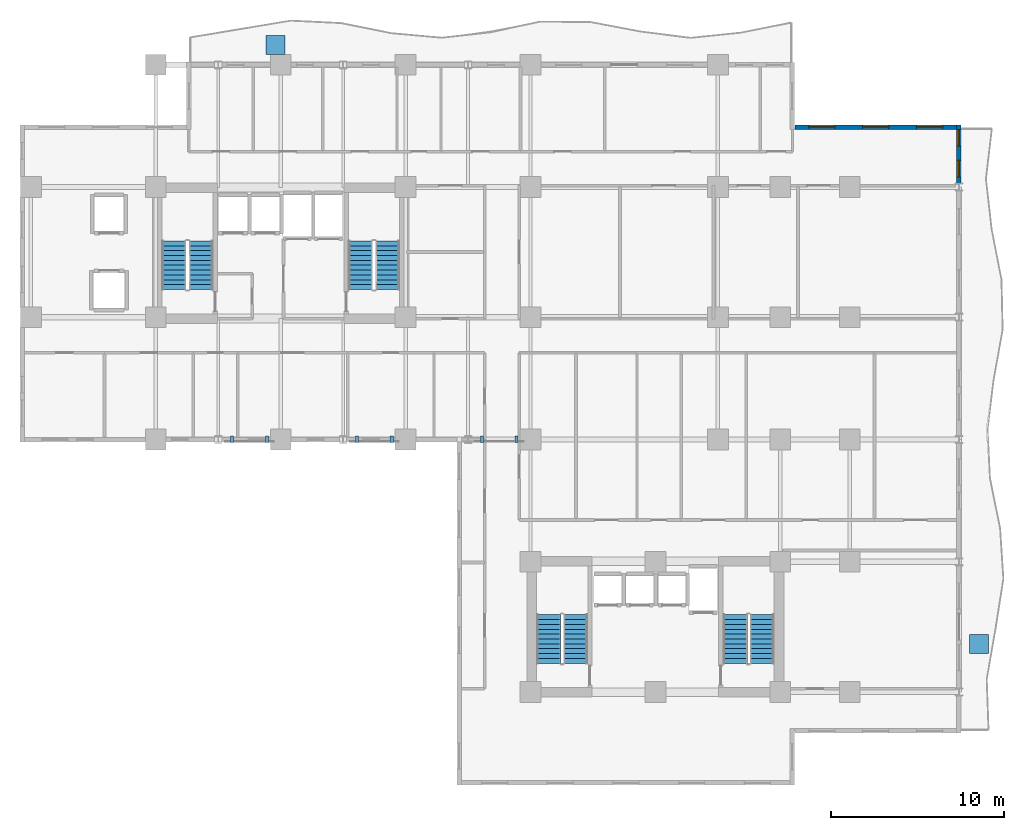
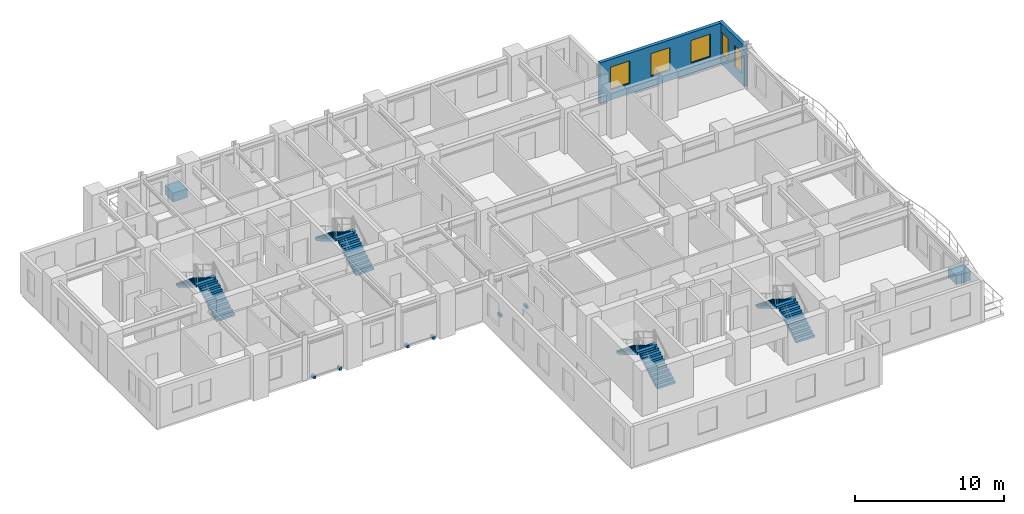
# One storey, part 8 of 11: 8 discrete accessories, 8 stair flights, 5 windows, 2 walls, 5 openings, 4 elements without a shape of their own.
"""IFC4 building model written with IfcOpenShell, lengths in metres."""

from ifc_helpers import new_model, si_unit, direction, frame, frame_2d, origin, origin_2d, place, context, subcontext, project, spatial, polyline, rectangle, outline, extrude, source, transform, mapped, material, layer, layer_set, type_object, element, fill, aggregate, save


model = new_model("IFC4")

# Units and contexts
model_context = context("Model", 3, precision=1e-05, world=origin(), true_north=direction((0.0, 1.0)))
body_context = subcontext(model_context, "Body", "Model", "MODEL_VIEW")
ifc_project = project(units=[si_unit("LENGTHUNIT", "METRE"), si_unit("AREAUNIT", "SQUARE_METRE"), si_unit("VOLUMEUNIT", "CUBIC_METRE"), si_unit("PLANEANGLEUNIT", "RADIAN"), si_unit("MASSUNIT", "GRAM", prefix="KILO")], contexts=[model_context])

# Site, building, storey
site_placement = place(None, origin())
site = spatial("IfcSite", under=ifc_project, at=site_placement, CompositionType="ELEMENT")
building_placement = place(site_placement, origin())
building = spatial("IfcBuilding", under=site, at=building_placement, Name="Kaliganga Portal Commons", CompositionType="ELEMENT")
storey_placement = place(building_placement, frame((0.0, 0.0, 126.699951171875)))
storey = spatial("IfcBuildingStorey", under=building, at=storey_placement, Name="L32", CompositionType="ELEMENT", Elevation=126.699951171875)

# Wall, openings, windows
ifc_material_1 = material(Name="Insulated Aluminium-Clad Spandrel Assembly", Category="aluminium")
ifc_layer = layer(ifc_material_1, 0.260009765625)
ifc_layer_set = layer_set([ifc_layer], Name="Insulated Aluminium-Clad Spandrel Assembly")
wall_type = type_object("IfcWallType", Name="WL-EXT-SPAND-260", PredefinedType="STANDARD", material=ifc_layer_set)
wall_1_placement = place(storey_placement, frame((60.699951171875, 39.72998046875, 0.0), z_axis=(0.0, 0.0, 1.0), x_axis=(0.0, -1.0, 0.0)))
wall_1 = element("IfcWall", 1, at=wall_1_placement, inside=storey, type_object=wall_type, Name="Exterior Envelope Wall L32 P1-E03-S6", PredefinedType="STANDARD", context=body_context, shape_type="SweptSolid", body=[
    extrude(rectangle(XDim=3.364013671875, YDim=0.260009765625, at=frame_2d((1.68212890625, 0.0))), origin(), (0.0, 0.0, 1.0), 3.320068359375),
])
opening_1_placement = place(wall_1_placement, frame((2.041259765625, 0.0, 0.85009765625)))
opening_1 = element("IfcOpeningElement", 2, at=opening_1_placement, cuts=wall_1, Name="Opening W-04", PredefinedType="OPENING", context=body_context, shape_type="SweptSolid", body=[
    extrude(rectangle(XDim=0.949951171875, YDim=1.75, at=frame_2d((0.47509765625, 0.875))), frame((0.0, 0.14013671875, 0.0), z_axis=(0.0, -1.0, 0.0), x_axis=(1.0, 0.0, 0.0)), (0.0, 0.0, 1.0), 0.280029296875),
])
opening_2_placement = place(wall_1_placement, frame((0.26513671875, 0.0, 0.85009765625)))
opening_2 = element("IfcOpeningElement", 3, at=opening_2_placement, cuts=wall_1, Name="Opening W-04", PredefinedType="OPENING", context=body_context, shape_type="SweptSolid", body=[
    extrude(rectangle(XDim=0.949951171875, YDim=1.75, at=frame_2d((0.47509765625, 0.875))), frame((0.0, 0.14013671875, 0.0), z_axis=(0.0, -1.0, 0.0), x_axis=(1.0, 0.0, 0.0)), (0.0, 0.0, 1.0), 0.280029296875),
])
ifc_material_2 = material(Name="Thermally Broken Aluminium and Low-E Double Glazing", Category="aluminium")
window_type_1 = type_object("IfcWindowType", Name="WIN-NARROW-950", PartitioningType="SINGLE_PANEL", PredefinedType="WINDOW", material=ifc_material_2)
window_1_placement = place(opening_1_placement, origin())
window_1 = element("IfcWindow", 4, at=window_1_placement, inside=storey, type_object=window_type_1, Name="Facade Window L32-P1E03S6-N2", OverallHeight=1.75, OverallWidth=0.949951171875, PartitioningType="SINGLE_PANEL", PredefinedType="WINDOW", context=body_context, shape_type="SweptSolid", body=[
    extrude(rectangle(XDim=0.949951171875, YDim=1.75, at=frame_2d((0.47509765625, 0.875))), frame((0.0, 0.030029296875, 0.0), z_axis=(0.0, -1.0, 0.0), x_axis=(1.0, 0.0, 0.0)), (0.0, 0.0, 1.0), 0.06005859375),
])
fill(opening_1, window_1)
window_2_placement = place(opening_2_placement, origin())
window_2 = element("IfcWindow", 5, at=window_2_placement, inside=storey, type_object=window_type_1, Name="Facade Window L32-P1E03S6-N9", OverallHeight=1.75, OverallWidth=0.949951171875, PartitioningType="SINGLE_PANEL", PredefinedType="WINDOW", context=body_context, shape_type="SweptSolid", body=[
    extrude(rectangle(XDim=0.949951171875, YDim=1.75, at=frame_2d((0.47509765625, 0.875))), frame((0.0, 0.030029296875, 0.0), z_axis=(0.0, -1.0, 0.0), x_axis=(1.0, 0.0, 0.0)), (0.0, 0.0, 1.0), 0.06005859375),
])
fill(opening_2, window_2)

wall_2_placement = place(storey_placement, frame((51.235107421875, 39.60009765625, 0.0), z_axis=(0.0, 0.0, 1.0), x_axis=(1.0, 0.0, 0.0)))
wall_2 = element("IfcWall", 6, at=wall_2_placement, inside=storey, type_object=wall_type, Name="Exterior Envelope Wall L32 P1-E04-S1", PredefinedType="STANDARD", context=body_context, shape_type="SweptSolid", body=[
    extrude(rectangle(XDim=9.329833984375, YDim=0.260009765625, at=frame_2d((4.6650390625, 0.0))), origin(), (0.0, 0.0, 1.0), 3.320068359375),
])
opening_3_placement = place(wall_2_placement, frame((0.804931640625, 0.0, 0.85009765625)))
opening_3 = element("IfcOpeningElement", 7, at=opening_3_placement, cuts=wall_2, Name="Opening W-02", PredefinedType="OPENING", context=body_context, shape_type="SweptSolid", body=[
    extrude(rectangle(XDim=1.5, YDim=1.85009765625, at=frame_2d((0.75, 0.925048828125))), frame((0.0, 0.14013671875, 0.0), z_axis=(0.0, -1.0, 0.0), x_axis=(1.0, 0.0, 0.0)), (0.0, 0.0, 1.0), 0.280029296875),
])
opening_4_placement = place(wall_2_placement, frame((3.9150390625, 0.0, 0.85009765625)))
opening_4 = element("IfcOpeningElement", 8, at=opening_4_placement, cuts=wall_2, Name="Opening W-02", PredefinedType="OPENING", context=body_context, shape_type="SweptSolid", body=[
    extrude(rectangle(XDim=1.5, YDim=1.85009765625, at=frame_2d((0.75, 0.925048828125))), frame((0.0, 0.14013671875, 0.0), z_axis=(0.0, -1.0, 0.0), x_axis=(1.0, 0.0, 0.0)), (0.0, 0.0, 1.0), 0.280029296875),
])
opening_5_placement = place(wall_2_placement, frame((7.02490234375, 0.0, 0.85009765625)))
opening_5 = element("IfcOpeningElement", 9, at=opening_5_placement, cuts=wall_2, Name="Opening W-02", PredefinedType="OPENING", context=body_context, shape_type="SweptSolid", body=[
    extrude(rectangle(XDim=1.5, YDim=1.85009765625, at=frame_2d((0.75, 0.925048828125))), frame((0.0, 0.14013671875, 0.0), z_axis=(0.0, -1.0, 0.0), x_axis=(1.0, 0.0, 0.0)), (0.0, 0.0, 1.0), 0.280029296875),
])
window_type_2 = type_object("IfcWindowType", Name="WIN-STD-1500", PartitioningType="DOUBLE_PANEL_VERTICAL", PredefinedType="WINDOW", material=ifc_material_2)
window_3_placement = place(opening_3_placement, origin())
window_3 = element("IfcWindow", 10, at=window_3_placement, inside=storey, type_object=window_type_2, Name="Facade Window L32-P1E04S1-00", OverallHeight=1.85009765625, OverallWidth=1.5, PartitioningType="SINGLE_PANEL", PredefinedType="WINDOW", context=body_context, shape_type="SweptSolid", body=[
    extrude(rectangle(XDim=1.5, YDim=1.85009765625, at=frame_2d((0.75, 0.925048828125))), frame((0.0, 0.030029296875, 0.0), z_axis=(0.0, -1.0, 0.0), x_axis=(1.0, 0.0, 0.0)), (0.0, 0.0, 1.0), 0.06005859375),
])
fill(opening_3, window_3)
window_4_placement = place(opening_4_placement, origin())
window_4 = element("IfcWindow", 11, at=window_4_placement, inside=storey, type_object=window_type_2, Name="Facade Window L32-P1E04S1-01", OverallHeight=1.85009765625, OverallWidth=1.5, PartitioningType="SINGLE_PANEL", PredefinedType="WINDOW", context=body_context, shape_type="SweptSolid", body=[
    extrude(rectangle(XDim=1.5, YDim=1.85009765625, at=frame_2d((0.75, 0.925048828125))), frame((0.0, 0.030029296875, 0.0), z_axis=(0.0, -1.0, 0.0), x_axis=(1.0, 0.0, 0.0)), (0.0, 0.0, 1.0), 0.06005859375),
])
fill(opening_4, window_4)
window_5_placement = place(opening_5_placement, origin())
window_5 = element("IfcWindow", 12, at=window_5_placement, inside=storey, type_object=window_type_2, Name="Facade Window L32-P1E04S1-02", OverallHeight=1.85009765625, OverallWidth=1.5, PartitioningType="SINGLE_PANEL", PredefinedType="WINDOW", context=body_context, shape_type="SweptSolid", body=[
    extrude(rectangle(XDim=1.5, YDim=1.85009765625, at=frame_2d((0.75, 0.925048828125))), frame((0.0, 0.030029296875, 0.0), z_axis=(0.0, -1.0, 0.0), x_axis=(1.0, 0.0, 0.0)), (0.0, 0.0, 1.0), 0.06005859375),
])
fill(opening_5, window_5)

# Stair, stair flights
ifc_material_3 = material(Name="Concrete C40/50", Category="concrete")
stair_type = type_object("IfcStairType", Name="ST-CORE-DOGLEG", PredefinedType="HALF_TURN_STAIR", material=ifc_material_3)
stair_1_placement = place(storey_placement, origin())
stair_1 = element("IfcStair", 13, at=stair_1_placement, inside=storey, type_object=stair_type, Name="L32 Protected Exit Stair ST-A1", PredefinedType="HALF_TURN_STAIR")
stair_flight_type = type_object("IfcStairFlightType", Name="STF-RC-1400", PredefinedType="STRAIGHT", material=ifc_material_3)
stair_flight_1_placement = place(storey_placement, frame((17.0, 30.25, 0.0), z_axis=(0.0, 0.0, 1.0), x_axis=(0.0, 1.0, 0.0)))
stair_flight_1 = element("IfcStairFlight", 14, at=stair_flight_1_placement, type_object=stair_flight_type, Name="ST-A1 flight 1", NumberOfRisers=11, NumberOfTreads=10, PredefinedType="STRAIGHT", RiserHeight=0.168181818, TreadLength=0.28, context=body_context, shape_type="SweptSolid", body=[
    extrude(outline(polyline([(0.0, 0.0), (0.0, 0.168212890625), (0.280029296875, 0.168212890625), (0.280029296875, 0.33642578125), (0.56005859375, 0.33642578125), (0.56005859375, 0.504638671875), (0.840087890625, 0.504638671875), (0.840087890625, 0.672607421875), (1.1201171875, 0.672607421875), (1.1201171875, 0.8408203125), (1.39990234375, 0.8408203125), (1.39990234375, 1.009033203125), (1.679931640625, 1.009033203125), (1.679931640625, 1.17724609375), (1.9599609375, 1.17724609375), (1.9599609375, 1.345458984375), (2.239990234375, 1.345458984375), (2.239990234375, 1.513671875), (2.52001953125, 1.513671875), (2.52001953125, 1.681884765625), (2.800048828125, 1.681884765625), (2.800048828125, 1.85009765625), (2.800048828125, 1.5068359375), (0.291015625, 0.0), (0.0, 0.0)])), frame((0.0, 0.699951171875, 0.0), z_axis=(0.0, -1.0, 0.0), x_axis=(1.0, 0.0, 0.0)), (0.0, 0.0, 1.0), 1.39990234375),
])
stair_flight_2_placement = place(storey_placement, frame((15.449951171875, 33.050048828125, 1.85009765625), z_axis=(0.0, 0.0, 1.0), x_axis=(0.0, -1.0, 0.0)))
stair_flight_2 = element("IfcStairFlight", 15, at=stair_flight_2_placement, type_object=stair_flight_type, Name="ST-A1 flight 2", NumberOfRisers=11, NumberOfTreads=10, PredefinedType="STRAIGHT", RiserHeight=0.168181818, TreadLength=0.28, context=body_context, shape_type="SweptSolid", body=[
    extrude(outline(polyline([(0.0, 0.0), (0.0, 0.168212890625), (0.280029296875, 0.168212890625), (0.280029296875, 0.33642578125), (0.56005859375, 0.33642578125), (0.56005859375, 0.504638671875), (0.840087890625, 0.504638671875), (0.840087890625, 0.672607421875), (1.1201171875, 0.672607421875), (1.1201171875, 0.8408203125), (1.39990234375, 0.8408203125), (1.39990234375, 1.009033203125), (1.679931640625, 1.009033203125), (1.679931640625, 1.17724609375), (1.9599609375, 1.17724609375), (1.9599609375, 1.345458984375), (2.239990234375, 1.345458984375), (2.239990234375, 1.513671875), (2.52001953125, 1.513671875), (2.52001953125, 1.681884765625), (2.800048828125, 1.681884765625), (2.800048828125, 1.85009765625), (2.800048828125, 1.5068359375), (0.291015625, 0.0), (0.0, 0.0)])), frame((0.0, 0.699951171875, 0.0), z_axis=(0.0, -1.0, 0.0), x_axis=(1.0, 0.0, 0.0)), (0.0, 0.0, 1.0), 1.39990234375),
])
aggregate(stair_1, [stair_flight_1, stair_flight_2])

stair_2_placement = place(storey_placement, origin())
stair_2 = element("IfcStair", 16, at=stair_2_placement, inside=storey, type_object=stair_type, Name="L32 Protected Exit Stair ST-A2", PredefinedType="HALF_TURN_STAIR")
stair_flight_3_placement = place(storey_placement, frame((27.75, 30.25, 0.0), z_axis=(0.0, 0.0, 1.0), x_axis=(0.0, 1.0, 0.0)))
stair_flight_3 = element("IfcStairFlight", 17, at=stair_flight_3_placement, type_object=stair_flight_type, Name="ST-A2 flight 1", NumberOfRisers=11, NumberOfTreads=10, PredefinedType="STRAIGHT", RiserHeight=0.168181818, TreadLength=0.28, context=body_context, shape_type="SweptSolid", body=[
    extrude(outline(polyline([(0.0, 0.0), (0.0, 0.168212890625), (0.280029296875, 0.168212890625), (0.280029296875, 0.33642578125), (0.56005859375, 0.33642578125), (0.56005859375, 0.504638671875), (0.840087890625, 0.504638671875), (0.840087890625, 0.672607421875), (1.1201171875, 0.672607421875), (1.1201171875, 0.8408203125), (1.39990234375, 0.8408203125), (1.39990234375, 1.009033203125), (1.679931640625, 1.009033203125), (1.679931640625, 1.17724609375), (1.9599609375, 1.17724609375), (1.9599609375, 1.345458984375), (2.239990234375, 1.345458984375), (2.239990234375, 1.513671875), (2.52001953125, 1.513671875), (2.52001953125, 1.681884765625), (2.800048828125, 1.681884765625), (2.800048828125, 1.85009765625), (2.800048828125, 1.5068359375), (0.291015625, 0.0), (0.0, 0.0)])), frame((0.0, 0.699951171875, 0.0), z_axis=(0.0, -1.0, 0.0), x_axis=(1.0, 0.0, 0.0)), (0.0, 0.0, 1.0), 1.39990234375),
])
stair_flight_4_placement = place(storey_placement, frame((26.199951171875, 33.050048828125, 1.85009765625), z_axis=(0.0, 0.0, 1.0), x_axis=(0.0, -1.0, 0.0)))
stair_flight_4 = element("IfcStairFlight", 18, at=stair_flight_4_placement, type_object=stair_flight_type, Name="ST-A2 flight 2", NumberOfRisers=11, NumberOfTreads=10, PredefinedType="STRAIGHT", RiserHeight=0.168181818, TreadLength=0.28, context=body_context, shape_type="SweptSolid", body=[
    extrude(outline(polyline([(0.0, 0.0), (0.0, 0.168212890625), (0.280029296875, 0.168212890625), (0.280029296875, 0.33642578125), (0.56005859375, 0.33642578125), (0.56005859375, 0.504638671875), (0.840087890625, 0.504638671875), (0.840087890625, 0.672607421875), (1.1201171875, 0.672607421875), (1.1201171875, 0.8408203125), (1.39990234375, 0.8408203125), (1.39990234375, 1.009033203125), (1.679931640625, 1.009033203125), (1.679931640625, 1.17724609375), (1.9599609375, 1.17724609375), (1.9599609375, 1.345458984375), (2.239990234375, 1.345458984375), (2.239990234375, 1.513671875), (2.52001953125, 1.513671875), (2.52001953125, 1.681884765625), (2.800048828125, 1.681884765625), (2.800048828125, 1.85009765625), (2.800048828125, 1.5068359375), (0.291015625, 0.0), (0.0, 0.0)])), frame((0.0, 0.699951171875, 0.0), z_axis=(0.0, -1.0, 0.0), x_axis=(1.0, 0.0, 0.0)), (0.0, 0.0, 1.0), 1.39990234375),
])
aggregate(stair_2, [stair_flight_3, stair_flight_4])

stair_3_placement = place(storey_placement, origin())
stair_3 = element("IfcStair", 19, at=stair_3_placement, inside=storey, type_object=stair_type, Name="L32 Protected Exit Stair ST-B1", PredefinedType="HALF_TURN_STAIR")
stair_flight_5_placement = place(storey_placement, frame((38.60009765625, 8.699951171875, 0.0), z_axis=(0.0, 0.0, 1.0), x_axis=(0.0, 1.0, 0.0)))
stair_flight_5 = element("IfcStairFlight", 20, at=stair_flight_5_placement, type_object=stair_flight_type, Name="ST-B1 flight 1", NumberOfRisers=11, NumberOfTreads=10, PredefinedType="STRAIGHT", RiserHeight=0.168181818, TreadLength=0.28, context=body_context, shape_type="SweptSolid", body=[
    extrude(outline(polyline([(0.0, 0.0), (0.0, 0.168212890625), (0.280029296875, 0.168212890625), (0.280029296875, 0.33642578125), (0.56005859375, 0.33642578125), (0.56005859375, 0.504638671875), (0.840087890625, 0.504638671875), (0.840087890625, 0.672607421875), (1.1201171875, 0.672607421875), (1.1201171875, 0.8408203125), (1.39990234375, 0.8408203125), (1.39990234375, 1.009033203125), (1.679931640625, 1.009033203125), (1.679931640625, 1.17724609375), (1.9599609375, 1.17724609375), (1.9599609375, 1.345458984375), (2.239990234375, 1.345458984375), (2.239990234375, 1.513671875), (2.52001953125, 1.513671875), (2.52001953125, 1.681884765625), (2.800048828125, 1.681884765625), (2.800048828125, 1.85009765625), (2.800048828125, 1.5068359375), (0.291015625, 0.0), (0.0, 0.0)])), frame((0.0, 0.699951171875, 0.0), z_axis=(0.0, -1.0, 0.0), x_axis=(1.0, 0.0, 0.0)), (0.0, 0.0, 1.0), 1.39990234375),
])
stair_flight_6_placement = place(storey_placement, frame((37.050048828125, 11.5, 1.85009765625), z_axis=(0.0, 0.0, 1.0), x_axis=(0.0, -1.0, 0.0)))
stair_flight_6 = element("IfcStairFlight", 21, at=stair_flight_6_placement, type_object=stair_flight_type, Name="ST-B1 flight 2", NumberOfRisers=11, NumberOfTreads=10, PredefinedType="STRAIGHT", RiserHeight=0.168181818, TreadLength=0.28, context=body_context, shape_type="SweptSolid", body=[
    extrude(outline(polyline([(0.0, 0.0), (0.0, 0.168212890625), (0.280029296875, 0.168212890625), (0.280029296875, 0.33642578125), (0.56005859375, 0.33642578125), (0.56005859375, 0.504638671875), (0.840087890625, 0.504638671875), (0.840087890625, 0.672607421875), (1.1201171875, 0.672607421875), (1.1201171875, 0.8408203125), (1.39990234375, 0.8408203125), (1.39990234375, 1.009033203125), (1.679931640625, 1.009033203125), (1.679931640625, 1.17724609375), (1.9599609375, 1.17724609375), (1.9599609375, 1.345458984375), (2.239990234375, 1.345458984375), (2.239990234375, 1.513671875), (2.52001953125, 1.513671875), (2.52001953125, 1.681884765625), (2.800048828125, 1.681884765625), (2.800048828125, 1.85009765625), (2.800048828125, 1.5068359375), (0.291015625, 0.0), (0.0, 0.0)])), frame((0.0, 0.699951171875, 0.0), z_axis=(0.0, -1.0, 0.0), x_axis=(1.0, 0.0, 0.0)), (0.0, 0.0, 1.0), 1.39990234375),
])
aggregate(stair_3, [stair_flight_5, stair_flight_6])

stair_4_placement = place(storey_placement, origin())
stair_4 = element("IfcStair", 22, at=stair_4_placement, inside=storey, type_object=stair_type, Name="L32 Protected Exit Stair ST-B2", PredefinedType="HALF_TURN_STAIR")
stair_flight_7_placement = place(storey_placement, frame((49.35009765625, 8.699951171875, 0.0), z_axis=(0.0, 0.0, 1.0), x_axis=(0.0, 1.0, 0.0)))
stair_flight_7 = element("IfcStairFlight", 23, at=stair_flight_7_placement, type_object=stair_flight_type, Name="ST-B2 flight 1", NumberOfRisers=11, NumberOfTreads=10, PredefinedType="STRAIGHT", RiserHeight=0.168181818, TreadLength=0.28, context=body_context, shape_type="SweptSolid", body=[
    extrude(outline(polyline([(0.0, 0.0), (0.0, 0.168212890625), (0.280029296875, 0.168212890625), (0.280029296875, 0.33642578125), (0.56005859375, 0.33642578125), (0.56005859375, 0.504638671875), (0.840087890625, 0.504638671875), (0.840087890625, 0.672607421875), (1.1201171875, 0.672607421875), (1.1201171875, 0.8408203125), (1.39990234375, 0.8408203125), (1.39990234375, 1.009033203125), (1.679931640625, 1.009033203125), (1.679931640625, 1.17724609375), (1.9599609375, 1.17724609375), (1.9599609375, 1.345458984375), (2.239990234375, 1.345458984375), (2.239990234375, 1.513671875), (2.52001953125, 1.513671875), (2.52001953125, 1.681884765625), (2.800048828125, 1.681884765625), (2.800048828125, 1.85009765625), (2.800048828125, 1.5068359375), (0.291015625, 0.0), (0.0, 0.0)])), frame((0.0, 0.699951171875, 0.0), z_axis=(0.0, -1.0, 0.0), x_axis=(1.0, 0.0, 0.0)), (0.0, 0.0, 1.0), 1.39990234375),
])
stair_flight_8_placement = place(storey_placement, frame((47.800048828125, 11.5, 1.85009765625), z_axis=(0.0, 0.0, 1.0), x_axis=(0.0, -1.0, 0.0)))
stair_flight_8 = element("IfcStairFlight", 24, at=stair_flight_8_placement, type_object=stair_flight_type, Name="ST-B2 flight 2", NumberOfRisers=11, NumberOfTreads=10, PredefinedType="STRAIGHT", RiserHeight=0.168181818, TreadLength=0.28, context=body_context, shape_type="SweptSolid", body=[
    extrude(outline(polyline([(0.0, 0.0), (0.0, 0.168212890625), (0.280029296875, 0.168212890625), (0.280029296875, 0.33642578125), (0.56005859375, 0.33642578125), (0.56005859375, 0.504638671875), (0.840087890625, 0.504638671875), (0.840087890625, 0.672607421875), (1.1201171875, 0.672607421875), (1.1201171875, 0.8408203125), (1.39990234375, 0.8408203125), (1.39990234375, 1.009033203125), (1.679931640625, 1.009033203125), (1.679931640625, 1.17724609375), (1.9599609375, 1.17724609375), (1.9599609375, 1.345458984375), (2.239990234375, 1.345458984375), (2.239990234375, 1.513671875), (2.52001953125, 1.513671875), (2.52001953125, 1.681884765625), (2.800048828125, 1.681884765625), (2.800048828125, 1.85009765625), (2.800048828125, 1.5068359375), (0.291015625, 0.0), (0.0, 0.0)])), frame((0.0, 0.699951171875, 0.0), z_axis=(0.0, -1.0, 0.0), x_axis=(1.0, 0.0, 0.0)), (0.0, 0.0, 1.0), 1.39990234375),
])
aggregate(stair_4, [stair_flight_7, stair_flight_8])

# Discrete accessories
ifc_material_4 = material(Name="Precast concrete C40/50", Category="concrete")
discrete_accessory_type_1 = type_object("IfcDiscreteAccessoryType", Name="DAC-PLANTER-RC", PredefinedType="USERDEFINED", material=ifc_material_4)
shared_shape_1 = source(origin(), body_context, "Body", "SweptSolid", [
    extrude(rectangle(XDim=1.10009765625, YDim=1.10009765625, at=origin_2d()), origin(), (0.0, 0.0, 1.0), 0.719970703125),
])
for number, where, z_axis, x_axis, name in (
    (25, (21.300048828125, 44.35009765625, 0.0), (0.0, 0.0, 1.0), (1.0, 0.0, 0.0), "Structural Tree Planter L32 balc_north"),
    (26, (61.85009765625, 9.800048828125, 0.0), (0.0, 0.0, 1.0), (1.0, 0.0, 0.0), "Structural Tree Planter L32 balc_east"),
):
    element("IfcDiscreteAccessory", number, at=place(storey_placement, frame(where, z_axis=z_axis, x_axis=x_axis)), inside=storey, type_object=discrete_accessory_type_1, Name=name, ObjectType="PLANTER", PredefinedType="USERDEFINED", context=body_context, shape_type="MappedRepresentation", body=[
        mapped(shared_shape_1, transform((0.0, 0.0, 0.0), x_axis=(1.0, 0.0, 0.0), y_axis=(0.0, 1.0, 0.0), z_axis=(0.0, 0.0, 1.0), scale=1.0)),
    ])
ifc_material_5 = material(Name="Structural steel S355J2", Category="steel")
discrete_accessory_type_2 = type_object("IfcDiscreteAccessoryType", Name="DAC-BRK-SCR", PredefinedType="BRACKET", material=ifc_material_5)
shared_shape_2 = source(origin(), body_context, "Body", "SweptSolid", [
    extrude(rectangle(XDim=0.179931640625, YDim=0.360107421875, at=origin_2d()), origin(), (0.0, 0.0, 1.0), 0.219970703125),
])
for number, where, z_axis, x_axis, name in (
    (27, (18.800048828125, 21.6201171875, -0.18994140625), (0.0, 0.0, 1.0), (1.0, 0.0, 0.0), "Solar Screen Outrigger Bracket L32-S1-1"),
    (28, (20.800048828125, 21.6201171875, -0.18994140625), (0.0, 0.0, 1.0), (1.0, 0.0, 0.0), "Solar Screen Outrigger Bracket L32-S1-2"),
    (29, (26.0, 21.6201171875, -0.18994140625), (0.0, 0.0, 1.0), (1.0, 0.0, 0.0), "Solar Screen Outrigger Bracket L32-S2-1"),
    (30, (28.0, 21.6201171875, -0.18994140625), (0.0, 0.0, 1.0), (1.0, 0.0, 0.0), "Solar Screen Outrigger Bracket L32-S2-2"),
    (31, (33.199951171875, 21.6201171875, -0.18994140625), (0.0, 0.0, 1.0), (1.0, 0.0, 0.0), "Solar Screen Outrigger Bracket L32-S3-1"),
    (32, (35.199951171875, 21.6201171875, -0.18994140625), (0.0, 0.0, 1.0), (1.0, 0.0, 0.0), "Solar Screen Outrigger Bracket L32-S3-2"),
):
    element("IfcDiscreteAccessory", number, at=place(storey_placement, frame(where, z_axis=z_axis, x_axis=x_axis)), inside=storey, type_object=discrete_accessory_type_2, Name=name, PredefinedType="BRACKET", context=body_context, shape_type="MappedRepresentation", body=[
        mapped(shared_shape_2, transform((0.0, 0.0, 0.0), x_axis=(1.0, 0.0, 0.0), y_axis=(0.0, 1.0, 0.0), z_axis=(0.0, 0.0, 1.0), scale=1.0)),
    ])

save(model, "model.ifc")
